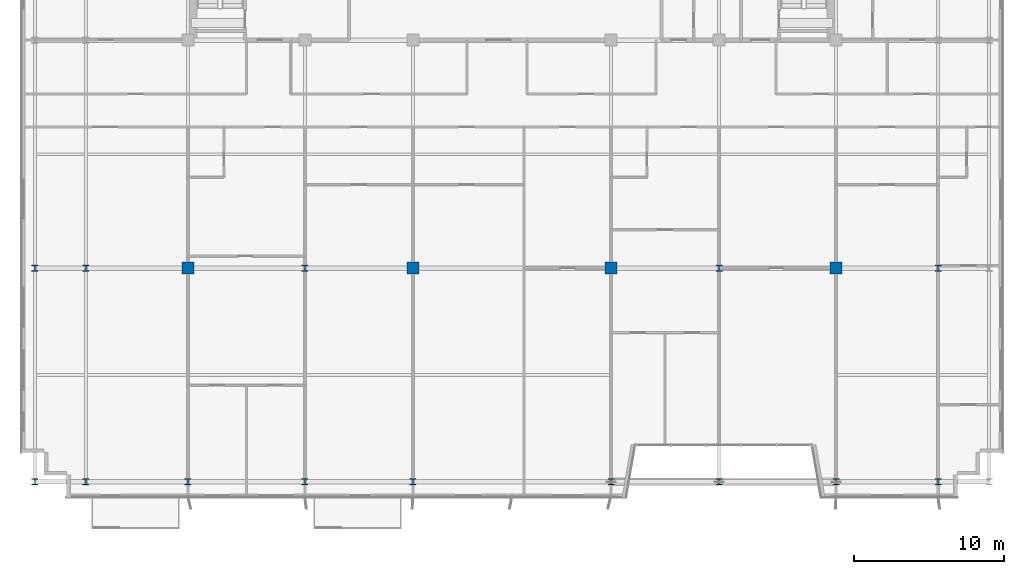
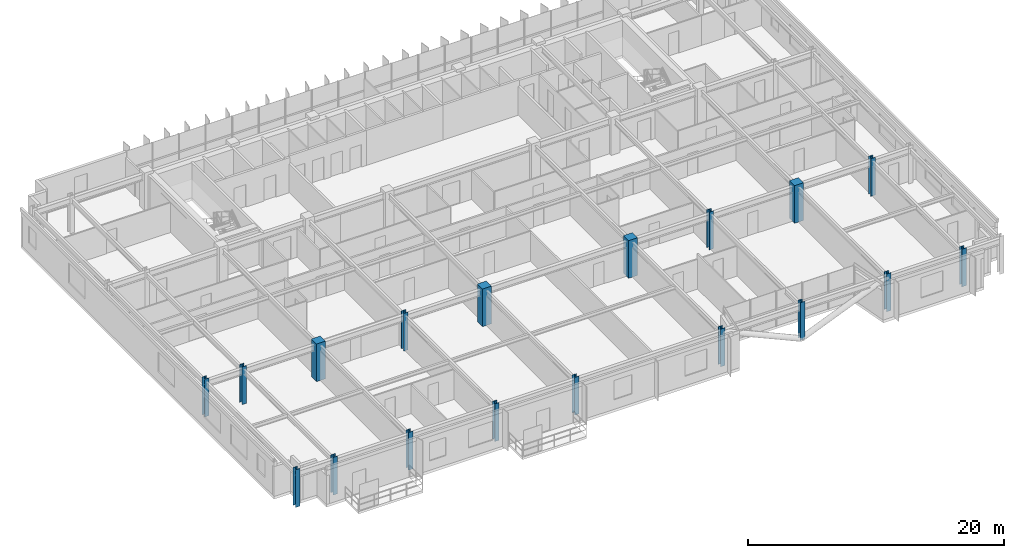
# One storey, part 1 of 26: 18 columns.
"""IFC4 building model written with IfcOpenShell, lengths in metres."""

from ifc_helpers import new_model, si_unit, direction, frame, origin, origin_2d, place, context, subcontext, project, spatial, rectangle, i_section, extrude, source, transform, mapped, material, material_profile, profile_set, type_object, element, save


model = new_model("IFC4")

# Units and contexts
model_context = context("Model", 3, precision=1e-05, world=origin(), true_north=direction((0.0, 1.0)))
body_context = subcontext(model_context, "Body", "Model", "MODEL_VIEW")
ifc_project = project(units=[si_unit("LENGTHUNIT", "METRE"), si_unit("AREAUNIT", "SQUARE_METRE"), si_unit("VOLUMEUNIT", "CUBIC_METRE"), si_unit("PLANEANGLEUNIT", "RADIAN"), si_unit("MASSUNIT", "GRAM", prefix="KILO")], contexts=[model_context])

# Site, building, storey
site_placement = place(None, origin())
site = spatial("IfcSite", under=ifc_project, at=site_placement, CompositionType="ELEMENT")
building_placement = place(site_placement, origin())
building = spatial("IfcBuilding", under=site, at=building_placement, Name="Trelvane Seafront Commons", CompositionType="ELEMENT")
storey_placement = place(building_placement, frame((0.0, 0.0, 124.89990234375)))
storey = spatial("IfcBuildingStorey", under=building, at=storey_placement, Name="L32", CompositionType="ELEMENT", Elevation=124.89990234375)

# Columns
ifc_material_1 = material(Name="Steel SM355 (S355)", Category="steel")
ifc_material_profile_1 = material_profile(ifc_material_1, i_section(OverallWidth=0.39990234375, OverallDepth=0.39990234375, WebThickness=0.02197265625, FlangeThickness=0.034912109375, at=origin_2d()), Name="HD-400x400x22x35")
ifc_profile_set_1 = profile_set([ifc_material_profile_1], Name="Steel SM355 (S355)")
column_type_1 = type_object("IfcColumnType", Name="STR-COL-HD400", PredefinedType="COLUMN", material=ifc_profile_set_1)
shared_shape_1 = source(origin(), body_context, "Body", "SweptSolid", [
    extrude(i_section(OverallWidth=0.39990234375, OverallDepth=0.39990234375, WebThickness=0.02197265625, FlangeThickness=0.034912109375, at=origin_2d()), origin(), (0.0, 0.0, 1.0), 3.60009765625),
])
for number, where, z_axis, x_axis, name in (
    (1, (5.39990234375, 3.949951171875, 0.0), (0.0, 0.0, 1.0), (1.0, 0.0, 0.0), "L32 Column TC-S5.4"),
    (2, (5.39990234375, 18.199951171875, 0.0), (0.0, 0.0, 1.0), (1.0, 0.0, 0.0), "L32 Column TC-M5.4"),
    (3, (8.800048828125, 3.949951171875, 0.0), (0.0, 0.0, 1.0), (1.0, 0.0, 0.0), "L32 Column TC-S8.8"),
    (4, (8.800048828125, 18.199951171875, 0.0), (0.0, 0.0, 1.0), (1.0, 0.0, 0.0), "L32 Column TC-M8.8"),
    (5, (15.60009765625, 3.949951171875, 0.0), (0.0, 0.0, 1.0), (1.0, 0.0, 0.0), "L32 Column TC-S15.6"),
    (6, (23.39990234375, 3.949951171875, 0.0), (0.0, 0.0, 1.0), (1.0, 0.0, 0.0), "L32 Column TC-S23.4"),
    (7, (23.39990234375, 18.199951171875, 0.0), (0.0, 0.0, 1.0), (1.0, 0.0, 0.0), "L32 Column TC-M23.4"),
    (8, (30.60009765625, 3.949951171875, 0.0), (0.0, 0.0, 1.0), (1.0, 0.0, 0.0), "L32 Column TC-S30.6"),
    (9, (43.800048828125, 3.949951171875, 0.0), (0.0, 0.0, 1.0), (1.0, 0.0, 0.0), "L32 Column TC-S43.8"),
    (10, (51.0, 3.949951171875, 0.0), (0.0, 0.0, 1.0), (1.0, 0.0, 0.0), "L32 Column TC-S51.0"),
    (11, (51.0, 18.199951171875, 0.0), (0.0, 0.0, 1.0), (1.0, 0.0, 0.0), "L32 Column TC-M51.0"),
    (12, (58.800048828125, 3.949951171875, 0.0), (0.0, 0.0, 1.0), (1.0, 0.0, 0.0), "L32 Column TC-S58.8"),
    (13, (65.60009765625, 3.949951171875, 0.0), (0.0, 0.0, 1.0), (1.0, 0.0, 0.0), "L32 Column TC-S65.6"),
    (14, (65.60009765625, 18.199951171875, 0.0), (0.0, 0.0, 1.0), (1.0, 0.0, 0.0), "L32 Column TC-M65.6"),
):
    element("IfcColumn", number, at=place(storey_placement, frame(where, z_axis=z_axis, x_axis=x_axis)), inside=storey, type_object=column_type_1, Name=name, PredefinedType="COLUMN", context=body_context, shape_type="MappedRepresentation", body=[
        mapped(shared_shape_1, transform((0.0, 0.0, 0.0), x_axis=(1.0, 0.0, 0.0), y_axis=(0.0, 1.0, 0.0), z_axis=(0.0, 0.0, 1.0), scale=1.0)),
    ])
ifc_material_2 = material(Name="Concrete C60/75", Category="concrete")
ifc_material_profile_2 = material_profile(ifc_material_2, rectangle(XDim=0.800048828125, YDim=0.800048828125, at=origin_2d()), Name="RC-800x800")
ifc_profile_set_2 = profile_set([ifc_material_profile_2], Name="Concrete C60/75")
column_type_2 = type_object("IfcColumnType", Name="STR-COL-RC800", PredefinedType="COLUMN", material=ifc_profile_set_2)
shared_shape_2 = source(origin(), body_context, "Body", "SweptSolid", [
    extrude(rectangle(XDim=0.800048828125, YDim=0.800048828125, at=origin_2d()), origin(), (0.0, 0.0, 1.0), 3.60009765625),
])
for number, where, z_axis, x_axis, name in (
    (15, (15.60009765625, 18.199951171875, 0.0), (0.0, 0.0, 1.0), (1.0, 0.0, 0.0), "L32 Column TC-M15.6"),
    (16, (30.60009765625, 18.199951171875, 0.0), (0.0, 0.0, 1.0), (1.0, 0.0, 0.0), "L32 Column TC-M30.6"),
    (17, (43.800048828125, 18.199951171875, 0.0), (0.0, 0.0, 1.0), (1.0, 0.0, 0.0), "L32 Column TC-M43.8"),
    (18, (58.800048828125, 18.199951171875, 0.0), (0.0, 0.0, 1.0), (1.0, 0.0, 0.0), "L32 Column TC-M58.8"),
):
    element("IfcColumn", number, at=place(storey_placement, frame(where, z_axis=z_axis, x_axis=x_axis)), inside=storey, type_object=column_type_2, Name=name, PredefinedType="COLUMN", context=body_context, shape_type="MappedRepresentation", body=[
        mapped(shared_shape_2, transform((0.0, 0.0, 0.0), x_axis=(1.0, 0.0, 0.0), y_axis=(0.0, 1.0, 0.0), z_axis=(0.0, 0.0, 1.0), scale=1.0)),
    ])

save(model, "model.ifc")
